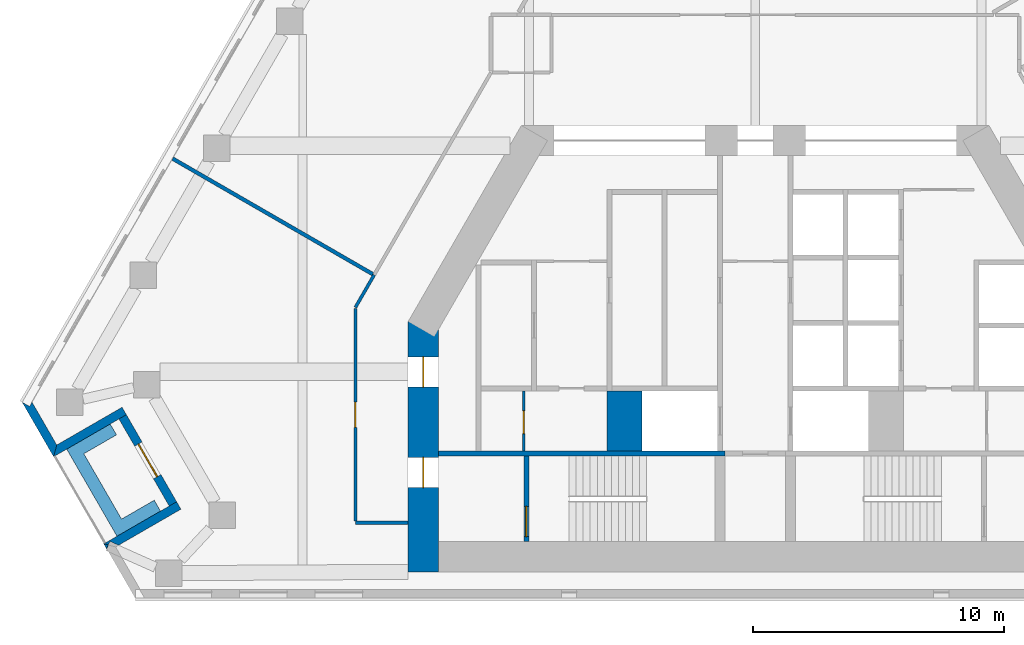
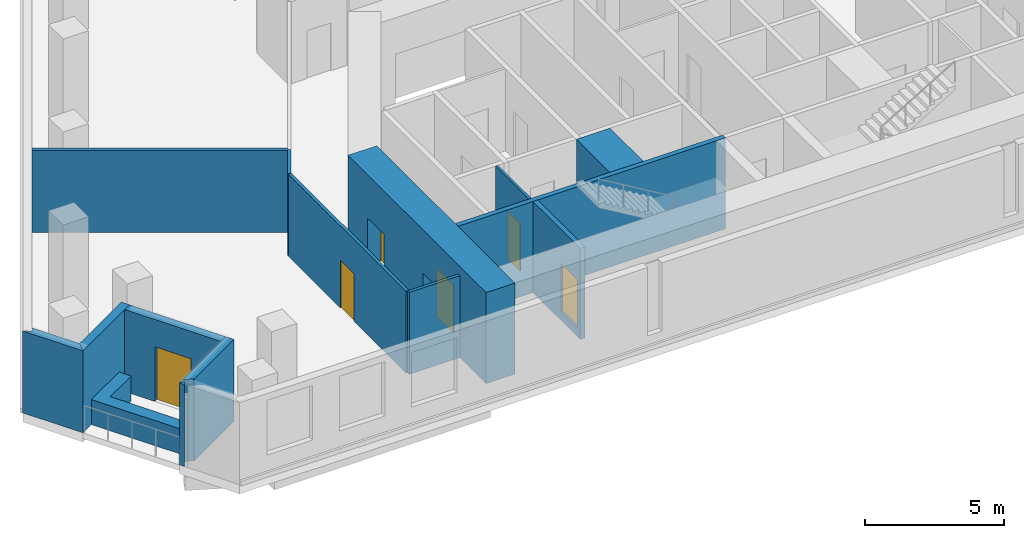
# One storey, part 3 of 9: 15 walls, 6 doors, 6 openings.
"""IFC4 building model written with IfcOpenShell, lengths in metres."""

from ifc_helpers import new_model, si_unit, direction, frame, frame_2d, origin, place, context, subcontext, project, spatial, polyline, rectangle, outline, extrude, material, layer, layer_set, type_object, element, fill, save


model = new_model("IFC4")

# Units and contexts
model_context = context("Model", 3, precision=1e-05, world=origin(), true_north=direction((0.0, 1.0)))
body_context = subcontext(model_context, "Body", "Model", "MODEL_VIEW")
ifc_project = project(units=[si_unit("LENGTHUNIT", "METRE"), si_unit("AREAUNIT", "SQUARE_METRE"), si_unit("VOLUMEUNIT", "CUBIC_METRE"), si_unit("PLANEANGLEUNIT", "RADIAN"), si_unit("MASSUNIT", "GRAM", prefix="KILO")], contexts=[model_context])

# Site, building, storey
site_placement = place(None, origin())
site = spatial("IfcSite", under=ifc_project, at=site_placement, CompositionType="ELEMENT")
building_placement = place(site_placement, origin())
building = spatial("IfcBuilding", under=site, at=building_placement, Name="Fogline Exchange Tower", CompositionType="ELEMENT")
storey_placement = place(building_placement, frame((0.0, 0.0, 150.89990234375)))
storey = spatial("IfcBuildingStorey", under=building, at=storey_placement, Name="L33", CompositionType="ELEMENT", Elevation=150.89990234375)

# Wall, opening, door
ifc_material_1 = material(Name="Blockwork partition", Category="masonry")
ifc_layer_1 = layer(ifc_material_1, 0.10009765625)
ifc_layer_set_1 = layer_set([ifc_layer_1], Name="CW10")
wall_type_1 = type_object("IfcWallType", Name="CW10", PredefinedType="PARTITIONING", material=ifc_layer_set_1)
wall_1_placement = place(storey_placement, frame((-9.199951171875, 5.85009765625, 0.0), z_axis=(0.0, 0.0, 1.0), x_axis=(0.0, 1.0, 0.0)))
wall_1 = element("IfcWall", 1, at=wall_1_placement, inside=storey, type_object=wall_type_1, Name="WC partition", PredefinedType="PARTITIONING", context=body_context, shape_type="SweptSolid", body=[
    extrude(rectangle(XDim=2.39990234375, YDim=0.10009765625, at=frame_2d((1.199951171875, 0.0))), origin(), (0.0, 0.0, 1.0), 3.60009765625),
])
opening_1_placement = place(wall_1_placement, frame((0.699951171875, 0.0, 0.0)))
opening_1 = element("IfcOpeningElement", 2, at=opening_1_placement, cuts=wall_1, Name="Opening T10-C008", PredefinedType="OPENING", context=body_context, shape_type="SweptSolid", body=[
    extrude(rectangle(XDim=0.89990234375, YDim=2.10009765625, at=frame_2d((0.449951171875, 1.050048828125))), frame((0.0, 0.06005859375, 0.0), z_axis=(0.0, -1.0, 0.0), x_axis=(1.0, 0.0, 0.0)), (0.0, 0.0, 1.0), 0.1201171875),
])
ifc_material_2 = material(Name="Steel and timber fire door", Category="steel")
door_type_1 = type_object("IfcDoorType", Name="D-CS1", OperationType="SINGLE_SWING_RIGHT", PredefinedType="DOOR", material=ifc_material_2)
door_1_placement = place(opening_1_placement, origin())
door_1 = element("IfcDoor", 3, at=door_1_placement, inside=storey, type_object=door_type_1, Name="Door to Cleaner's Store", OperationType="SINGLE_SWING_LEFT", OverallHeight=2.10009765625, OverallWidth=0.89990234375, PredefinedType="DOOR", context=body_context, shape_type="SweptSolid", body=[
    extrude(rectangle(XDim=0.89990234375, YDim=2.10009765625, at=frame_2d((0.449951171875, 1.050048828125))), frame((0.0, 0.02490234375, 0.0), z_axis=(0.0, -1.0, 0.0), x_axis=(1.0, 0.0, 0.0)), (0.0, 0.0, 1.0), 0.050048828125),
])
fill(opening_1, door_1)

# Walls
ifc_material_3 = material(Name="Concrete C60", Category="concrete")
ifc_layer_2 = layer(ifc_material_3, 1.39990234375)
ifc_layer_set_2 = layer_set([ifc_layer_2], Name="CW140")
wall_type_2 = type_object("IfcWallType", Name="CW140", PredefinedType="SOLIDWALL", material=ifc_layer_set_2)
wall_2_placement = place(storey_placement, frame((-5.199951171875, 5.85009765625, -0.39990234375), z_axis=(0.0, 0.0, 1.0), x_axis=(0.0, 1.0, 0.0)))
element("IfcWall", 4, at=wall_2_placement, inside=storey, type_object=wall_type_2, Name="Lift shaft block wall", PredefinedType="SOLIDWALL", context=body_context, shape_type="SweptSolid", body=[
    extrude(rectangle(XDim=2.39990234375, YDim=1.39990234375, at=frame_2d((1.199951171875, 0.0))), origin(), (0.0, 0.0, 1.0), 4.0),
])
ifc_material_4 = material(Name="Concrete C40", Category="concrete")
ifc_layer_3 = layer(ifc_material_4, 0.199951171875)
ifc_layer_set_3 = layer_set([ifc_layer_3], Name="CW20R")
wall_type_3 = type_object("IfcWallType", Name="CW20R", PredefinedType="SOLIDWALL", material=ifc_layer_set_3)
wall_3_placement = place(storey_placement, frame((-12.60009765625, 5.75, -0.39990234375), z_axis=(0.0, 0.0, 1.0), x_axis=(1.0, 0.0, 0.0)))
element("IfcWall", 5, at=wall_3_placement, inside=storey, type_object=wall_type_3, Name="Stair enclosure wall", PredefinedType="SOLIDWALL", context=body_context, shape_type="SweptSolid", body=[
    extrude(rectangle(XDim=11.400146484375, YDim=0.199951171875, at=frame_2d((5.7001953125, 0.0))), origin(), (0.0, 0.0, 1.0), 4.0),
])

# Wall, opening, door
wall_4_placement = place(storey_placement, frame((-9.10009765625, 2.25, -0.39990234375), z_axis=(0.0, 0.0, 1.0), x_axis=(0.0, 1.0, 0.0)))
wall_4 = element("IfcWall", 6, at=wall_4_placement, inside=storey, type_object=wall_type_3, Name="Stair enclosure wall", PredefinedType="SOLIDWALL", context=body_context, shape_type="SweptSolid", body=[
    extrude(rectangle(XDim=3.39990234375, YDim=0.199951171875, at=frame_2d((1.699951171875, 0.0))), origin(), (0.0, 0.0, 1.0), 4.0),
])
opening_2_placement = place(wall_4_placement, frame((0.199951171875, 0.0, 0.39990234375)))
opening_2 = element("IfcOpeningElement", 7, at=opening_2_placement, cuts=wall_4, Name="Opening T10-C010", PredefinedType="OPENING", context=body_context, shape_type="SweptSolid", body=[
    extrude(rectangle(XDim=1.199951171875, YDim=2.10009765625, at=frame_2d((0.60009765625, 1.050048828125))), frame((0.0, 0.10986328125, 0.0), z_axis=(0.0, -1.0, 0.0), x_axis=(1.0, 0.0, 0.0)), (0.0, 0.0, 1.0), 0.219970703125),
])
door_type_2 = type_object("IfcDoorType", Name="D-ST1", OperationType="SINGLE_SWING_LEFT", PredefinedType="DOOR", material=ifc_material_2)
door_2_placement = place(opening_2_placement, frame((1.199951171875, 0.0, 0.0), z_axis=(0.0, 0.0, 1.0), x_axis=(-1.0, 0.0, 0.0)))
door_2 = element("IfcDoor", 8, at=door_2_placement, inside=storey, type_object=door_type_2, Name="Stair door ST1", OperationType="SINGLE_SWING_RIGHT", OverallHeight=2.10009765625, OverallWidth=1.199951171875, PredefinedType="DOOR", context=body_context, shape_type="SweptSolid", body=[
    extrude(rectangle(XDim=1.199951171875, YDim=2.10009765625, at=frame_2d((0.60009765625, 1.050048828125))), frame((0.0, 0.02490234375, 0.0), z_axis=(0.0, -1.0, 0.0), x_axis=(1.0, 0.0, 0.0)), (0.0, 0.0, 1.0), 0.050048828125),
])
fill(opening_2, door_2)

# Walls
ifc_material_5 = material(Name="Brick masonry", Category="masonry")
ifc_layer_4 = layer(ifc_material_5, 0.340087890625)
ifc_layer_set_4 = layer_set([ifc_layer_4], Name="FW1")
wall_type_4 = type_object("IfcWallType", Name="FW1", PredefinedType="SOLIDWALL", material=ifc_layer_set_4)
wall_5_placement = place(storey_placement, origin())
element("IfcWall", 9, at=wall_5_placement, inside=storey, type_object=wall_type_4, Name="Brick wall L33 SW-c1", PredefinedType="SOLIDWALL", context=body_context, shape_type="SweptSolid", body=[
    extrude(outline(polyline([(-27.8984375, 5.6279296875), (-29.149658203125, 7.794921875), (-29.149169921875, 7.79541015625), (-28.854248046875, 7.625), (-28.755859375, 7.79541015625), (-27.7734375, 6.09375), (-27.898193359375, 5.6279296875), (-27.8984375, 5.6279296875)])), origin(), (0.0, 0.0, 1.0), 3.60009765625),
])
wall_6_placement = place(storey_placement, origin())
element("IfcWall", 10, at=wall_6_placement, inside=storey, type_object=wall_type_4, Name="Brick wall L33 SW-s1", PredefinedType="SOLIDWALL", context=body_context, shape_type="SweptSolid", body=[
    extrude(outline(polyline([(-25.17578125, 7.594482421875), (-25.005126953125, 7.298828125), (-25.300048828125, 7.128662109375), (-27.899169921875, 5.628173828125), (-27.8994140625, 5.62841796875), (-27.774658203125, 6.093994140625), (-25.17578125, 7.594482421875)])), origin(), (0.0, 0.0, 1.0), 3.60009765625),
])

# Wall, opening, door
wall_7_placement = place(storey_placement, frame((-25.153076171875, 7.214111328125, 0.0), z_axis=(0.0, 0.0, 1.0), x_axis=(0.49999894854, -0.866026010844, 0.0)))
wall_7 = element("IfcWall", 11, at=wall_7_placement, inside=storey, type_object=wall_type_4, Name="Brick wall L33 SW-bk", PredefinedType="SOLIDWALL", context=body_context, shape_type="SweptSolid", body=[
    extrude(rectangle(XDim=4.0, YDim=0.340087890625, at=frame_2d((2.0, 0.0))), origin(), (0.0, 0.0, 1.0), 3.60009765625),
])
opening_3_placement = place(wall_7_placement, frame((1.25, 0.0, 0.0)))
opening_3 = element("IfcOpeningElement", 12, at=opening_3_placement, cuts=wall_7, Name="Opening T10-E021", PredefinedType="OPENING", context=body_context, shape_type="SweptSolid", body=[
    extrude(rectangle(XDim=1.5, YDim=2.39990234375, at=frame_2d((0.75, 1.199951171875))), frame((0.0, 0.18017578125, 0.0), z_axis=(0.0, -1.0, 0.0), x_axis=(1.0, 0.0, 0.0)), (0.0, 0.0, 1.0), 0.360107421875),
])
ifc_material_6 = material(Name="Aluminium and glass", Category="aluminium")
door_type_3 = type_object("IfcDoorType", Name="ED4", OperationType="SINGLE_SWING_LEFT", PredefinedType="DOOR", material=ifc_material_6)
door_3_placement = place(opening_3_placement, frame((1.5, 0.0, 0.0), z_axis=(0.0, 0.0, 1.0), x_axis=(-1.0, 0.0, 0.0)))
door_3 = element("IfcDoor", 13, at=door_3_placement, inside=storey, type_object=door_type_3, Name="Balcony door L33 SW", OperationType="DOUBLE_DOOR_SINGLE_SWING", OverallHeight=2.39990234375, OverallWidth=1.5, PredefinedType="DOOR", context=body_context, shape_type="SweptSolid", body=[
    extrude(rectangle(XDim=1.5, YDim=2.39990234375, at=frame_2d((0.75, 1.199951171875))), frame((0.0, 0.02490234375, 0.0), z_axis=(0.0, -1.0, 0.0), x_axis=(1.0, 0.0, 0.0)), (0.0, 0.0, 1.0), 0.050048828125),
])
fill(opening_3, door_3)

# Walls
wall_8_placement = place(storey_placement, origin())
element("IfcWall", 14, at=wall_8_placement, inside=storey, type_object=wall_type_4, Name="Brick wall L33 SW-s2", PredefinedType="SOLIDWALL", context=body_context, shape_type="SweptSolid", body=[
    extrude(outline(polyline([(-23.30078125, 3.66552734375), (-23.005859375, 3.8359375), (-22.835205078125, 3.540283203125), (-25.31640625, 2.10791015625), (-25.659423828125, 2.260986328125), (-25.723388671875, 2.11767578125), (-25.899658203125, 2.164794921875), (-25.899658203125, 2.1650390625), (-23.30078125, 3.66552734375)])), origin(), (0.0, 0.0, 1.0), 3.60009765625),
])
wall_9_placement = place(storey_placement, origin())
element("IfcWall", 15, at=wall_9_placement, inside=storey, type_object=wall_type_4, Name="Brick wall L33 SW-c2", PredefinedType="SOLIDWALL", context=body_context, shape_type="SweptSolid", body=[
    extrude(outline(polyline([(-25.8994140625, 2.165771484375), (-25.8994140625, 2.166015625), (-25.722900390625, 2.11865234375), (-25.7880859375, 1.972900390625), (-25.8994140625, 2.165771484375)])), origin(), (0.0, 0.0, 1.0), 3.60009765625),
])
ifc_material_7 = material(Name="Concrete C30", Category="concrete")
ifc_layer_5 = layer(ifc_material_7, 0.199951171875)
ifc_layer_set_5 = layer_set([ifc_layer_5], Name="PL1")
wall_type_5 = type_object("IfcWallType", Name="PL1", PredefinedType="USERDEFINED", material=ifc_layer_set_5)
wall_10_placement = place(storey_placement, origin())
element("IfcWall", 16, at=wall_10_placement, inside=storey, type_object=wall_type_5, Name="PLANTER balcony L33 SW", ObjectType="PLANTER", PredefinedType="USERDEFINED", context=body_context, shape_type="SweptSolid", body=[
    extrude(outline(polyline([(-23.896728515625, 3.898193359375), (-25.19580078125, 3.148193359375), (-26.69580078125, 5.74609375), (-25.396728515625, 6.49609375), (-25.646728515625, 6.92919921875), (-27.37890625, 5.92919921875), (-27.12890625, 5.49609375), (-25.37890625, 2.465087890625), (-24.94580078125, 2.715087890625), (-24.94580078125, 2.715087890625), (-23.646728515625, 3.465087890625), (-23.896728515625, 3.898193359375)])), origin(), (0.0, 0.0, 1.0), 1.10009765625),
])
ifc_material_8 = material(Name="Plasterboard corridor partition with mineral wool, 2 layers each side")
ifc_layer_6 = layer(ifc_material_8, 0.125)
ifc_layer_set_6 = layer_set([ifc_layer_6], Name="PW2")
wall_type_6 = type_object("IfcWallType", Name="PW2", PredefinedType="PARTITIONING", material=ifc_layer_set_6)
wall_11_placement = place(storey_placement, frame((-13.800048828125, 3.0, 0.0), z_axis=(0.0, 0.0, 1.0), x_axis=(-1.0, 0.0, 0.0)))
element("IfcWall", 17, at=wall_11_placement, inside=storey, type_object=wall_type_6, Name="wall-L33-W011", PredefinedType="PARTITIONING", context=body_context, shape_type="SweptSolid", body=[
    extrude(rectangle(XDim=2.099853515625, YDim=0.125, at=frame_2d((1.0498046875, 0.0))), origin(), (0.0, 0.0, 1.0), 3.60009765625),
])

# Wall, opening, door
wall_12_placement = place(storey_placement, frame((-15.89990234375, 3.0625, 0.0), z_axis=(0.0, 0.0, 1.0), x_axis=(0.0, 1.0, 0.0)))
wall_12 = element("IfcWall", 18, at=wall_12_placement, inside=storey, type_object=wall_type_6, Name="wall-L33-W012", PredefinedType="PARTITIONING", context=body_context, shape_type="SweptSolid", body=[
    extrude(rectangle(XDim=8.46826171875, YDim=0.125, at=frame_2d((4.234130859375, 0.0))), origin(), (0.0, 0.0, 1.0), 3.60009765625),
])
opening_4_placement = place(wall_12_placement, frame((3.734130859375, 0.0, 0.0)))
opening_4 = element("IfcOpeningElement", 19, at=opening_4_placement, cuts=wall_12, Name="Opening T10-D005", PredefinedType="OPENING", context=body_context, shape_type="SweptSolid", body=[
    extrude(rectangle(XDim=1.0, YDim=2.10009765625, at=frame_2d((0.5, 1.050048828125))), frame((0.0, 0.072509765625, 0.0), z_axis=(0.0, -1.0, 0.0), x_axis=(1.0, 0.0, 0.0)), (0.0, 0.0, 1.0), 0.14501953125),
])
ifc_material_9 = material(Name="Fire-rated timber door leaf with steel frame", Category="steel")
door_type_4 = type_object("IfcDoorType", Name="D3", OperationType="SINGLE_SWING_LEFT", PredefinedType="DOOR", material=ifc_material_9)
door_4_placement = place(opening_4_placement, origin())
door_4 = element("IfcDoor", 20, at=door_4_placement, inside=storey, type_object=door_type_4, Name="door-L33-D005", OperationType="SINGLE_SWING_LEFT", OverallHeight=2.10009765625, OverallWidth=1.0, PredefinedType="DOOR", context=body_context, shape_type="SweptSolid", body=[
    extrude(rectangle(XDim=1.0, YDim=2.10009765625, at=frame_2d((0.5, 1.050048828125))), frame((0.0, 0.02490234375, 0.0), z_axis=(0.0, -1.0, 0.0), x_axis=(1.0, 0.0, 0.0)), (0.0, 0.0, 1.0), 0.050048828125),
])
fill(opening_4, door_4)

# Walls
wall_13_placement = place(storey_placement, frame((-15.89990234375, 11.561767578125, 0.0), z_axis=(0.0, 0.0, 1.0), x_axis=(0.499986386223, 0.866033263559, 0.0)))
element("IfcWall", 21, at=wall_13_placement, inside=storey, type_object=wall_type_6, Name="wall-L33-W013", PredefinedType="PARTITIONING", context=body_context, shape_type="SweptSolid", body=[
    extrude(rectangle(XDim=1.49462890625, YDim=0.125, at=frame_2d((0.747314453125, 0.0))), origin(), (0.0, 0.0, 1.0), 3.60009765625),
])
ifc_material_10 = material(Name="Plasterboard demising partition with mineral wool and acoustic board")
ifc_layer_7 = layer(ifc_material_10, 0.14990234375)
ifc_layer_set_7 = layer_set([ifc_layer_7], Name="PW3")
wall_type_7 = type_object("IfcWallType", Name="PW3", PredefinedType="PARTITIONING", material=ifc_layer_set_7)
wall_14_placement = place(storey_placement, frame((-15.206787109375, 12.887451171875, 0.0), z_axis=(0.0, 0.0, 1.0), x_axis=(-0.866016979766, 0.500014590545, 0.0)))
element("IfcWall", 22, at=wall_14_placement, inside=storey, type_object=wall_type_7, Name="wall-L33-W042", PredefinedType="PARTITIONING", context=body_context, shape_type="SweptSolid", body=[
    extrude(rectangle(XDim=9.187255859375, YDim=0.14990234375, at=frame_2d((4.59375, 0.0))), origin(), (0.0, 0.0, 1.0), 3.60009765625),
])

# Wall, openings, doors
ifc_layer_8 = layer(ifc_material_3, 1.199951171875)
ifc_layer_set_8 = layer_set([ifc_layer_8], Name="SW02")
wall_type_8 = type_object("IfcWallType", Name="SW02", PredefinedType="SHEAR", material=ifc_layer_set_8)
wall_15_placement = place(storey_placement, frame((-13.199951171875, 10.9990234375, 0.0), z_axis=(0.0, 0.0, 1.0), x_axis=(0.0, -1.0, 0.0)))
wall_15 = element("IfcWall", 23, at=wall_15_placement, inside=storey, type_object=wall_type_8, Name="L33-W906", PredefinedType="SHEAR", context=body_context, shape_type="SweptSolid", body=[
    extrude(rectangle(XDim=9.948974609375, YDim=1.199951171875, at=frame_2d((4.974609375, 0.0))), origin(), (0.0, 0.0, 1.0), 4.0),
])
opening_5_placement = place(wall_15_placement, frame((5.39892578125, 0.0, 0.0)))
opening_5 = element("IfcOpeningElement", 24, at=opening_5_placement, cuts=wall_15, Name="Opening T10-C009", PredefinedType="OPENING", context=body_context, shape_type="SweptSolid", body=[
    extrude(rectangle(XDim=1.199951171875, YDim=2.10009765625, at=frame_2d((0.60009765625, 1.050048828125))), frame((0.0, 0.60986328125, 0.0), z_axis=(0.0, -1.0, 0.0), x_axis=(1.0, 0.0, 0.0)), (0.0, 0.0, 1.0), 1.219970703125),
])
opening_6_placement = place(wall_15_placement, frame((1.39892578125, 0.0, 0.0)))
opening_6 = element("IfcOpeningElement", 25, at=opening_6_placement, cuts=wall_15, Name="Opening T10-C011", PredefinedType="OPENING", context=body_context, shape_type="SweptSolid", body=[
    extrude(rectangle(XDim=1.199951171875, YDim=2.10009765625, at=frame_2d((0.60009765625, 1.050048828125))), frame((0.0, 0.60986328125, 0.0), z_axis=(0.0, -1.0, 0.0), x_axis=(1.0, 0.0, 0.0)), (0.0, 0.0, 1.0), 1.219970703125),
])
door_type_5 = type_object("IfcDoorType", Name="D-FR1", OperationType="SINGLE_SWING_RIGHT", PredefinedType="DOOR", material=ifc_material_2)
door_5_placement = place(opening_5_placement, origin())
door_5 = element("IfcDoor", 26, at=door_5_placement, inside=storey, type_object=door_type_5, Name="Front room door ST1", OperationType="SINGLE_SWING_LEFT", OverallHeight=2.10009765625, OverallWidth=1.199951171875, PredefinedType="DOOR", context=body_context, shape_type="SweptSolid", body=[
    extrude(rectangle(XDim=1.199951171875, YDim=2.10009765625, at=frame_2d((0.60009765625, 1.050048828125))), frame((0.0, 0.02490234375, 0.0), z_axis=(0.0, -1.0, 0.0), x_axis=(1.0, 0.0, 0.0)), (0.0, 0.0, 1.0), 0.050048828125),
])
fill(opening_5, door_5)
door_type_6 = type_object("IfcDoorType", Name="D-SV1", OperationType="SINGLE_SWING_LEFT", PredefinedType="DOOR", material=ifc_material_2)
door_6_placement = place(opening_6_placement, origin())
door_6 = element("IfcDoor", 27, at=door_6_placement, inside=storey, type_object=door_type_6, Name="Service door W", OperationType="SINGLE_SWING_LEFT", OverallHeight=2.10009765625, OverallWidth=1.199951171875, PredefinedType="DOOR", context=body_context, shape_type="SweptSolid", body=[
    extrude(rectangle(XDim=1.199951171875, YDim=2.10009765625, at=frame_2d((0.60009765625, 1.050048828125))), frame((0.0, 0.02490234375, 0.0), z_axis=(0.0, -1.0, 0.0), x_axis=(1.0, 0.0, 0.0)), (0.0, 0.0, 1.0), 0.050048828125),
])
fill(opening_6, door_6)

save(model, "model.ifc")
